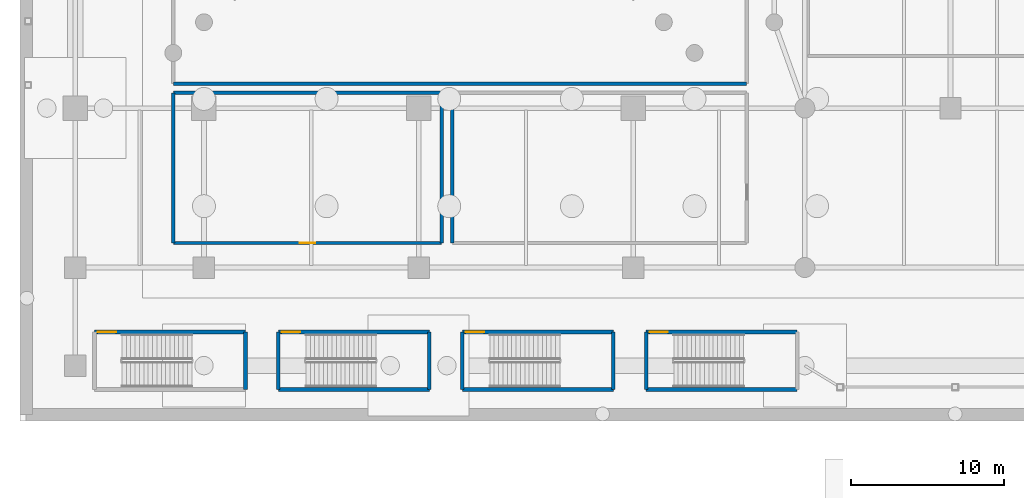
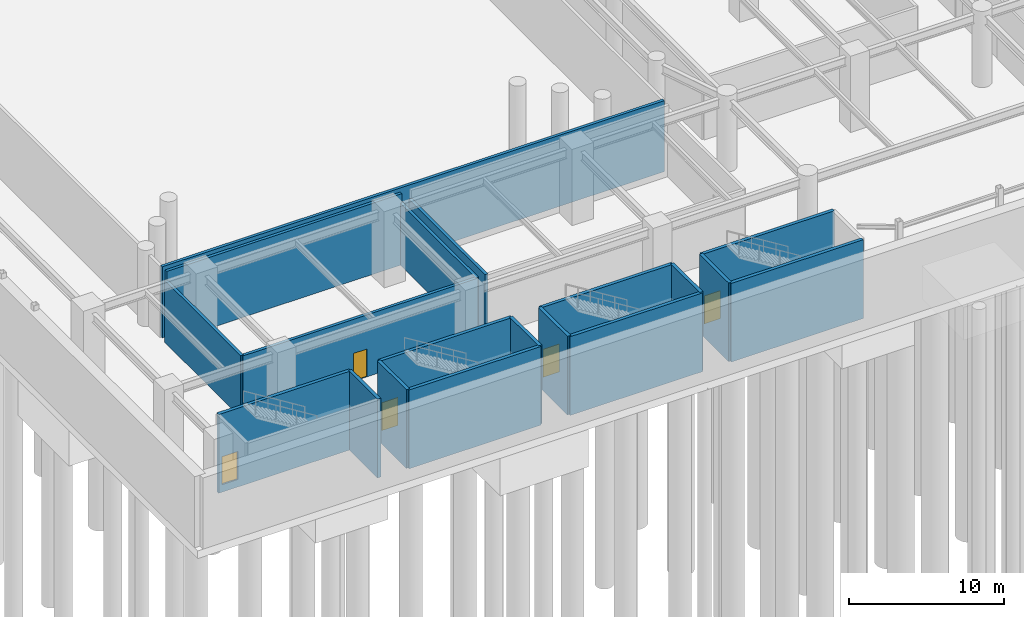
# One storey, part 16 of 37: 19 walls, 5 doors, 5 openings.
"""IFC4 building model written with IfcOpenShell, lengths in metres."""

from ifc_helpers import new_model, si_unit, direction, frame, frame_2d, origin, place, context, subcontext, project, spatial, rectangle, extrude, material, layer, layer_set, type_object, element, fill, save


model = new_model("IFC4")

# Units and contexts
model_context = context("Model", 3, precision=1e-05, world=origin(), true_north=direction((0.0, 1.0)))
body_context = subcontext(model_context, "Body", "Model", "MODEL_VIEW")
ifc_project = project(units=[si_unit("LENGTHUNIT", "METRE"), si_unit("AREAUNIT", "SQUARE_METRE"), si_unit("VOLUMEUNIT", "CUBIC_METRE"), si_unit("PLANEANGLEUNIT", "RADIAN"), si_unit("MASSUNIT", "GRAM", prefix="KILO")], contexts=[model_context])

# Site, building, storey
site_placement = place(None, origin())
site = spatial("IfcSite", under=ifc_project, at=site_placement, CompositionType="ELEMENT")
building_placement = place(site_placement, origin())
building = spatial("IfcBuilding", under=site, at=building_placement, Name="Narakoshi Arena Tower", CompositionType="ELEMENT")
storey_placement = place(building_placement, frame((0.0, 0.0, -6.0)))
storey = spatial("IfcBuildingStorey", under=building, at=storey_placement, Name="B01", CompositionType="ELEMENT", Elevation=-6.0)

# Wall
ifc_material_1 = material(Name="Concrete C40/50", Category="concrete")
ifc_layer_1 = layer(ifc_material_1, 0.219970703125)
ifc_layer_set_1 = layer_set([ifc_layer_1], Name="Concrete C40/50")
wall_type_1 = type_object("IfcWallType", Name="WL-COMP-220", PredefinedType="SOLIDWALL", material=ifc_layer_set_1)
wall_1_placement = place(storey_placement, frame((10.0, 22.0, 0.0), z_axis=(0.0, 0.0, 1.0), x_axis=(1.0, 0.0, 0.0)))
element("IfcWall", 1, at=wall_1_placement, inside=storey, type_object=wall_type_1, Name="B01 Arena Competition Event Floor Wall S", PredefinedType="SOLIDWALL", context=body_context, shape_type="SweptSolid", body=[
    extrude(rectangle(XDim=37.39990234375, YDim=0.219970703125, at=frame_2d((18.699951171875, 0.0))), origin(), (0.0, 0.0, 1.0), 5.60009765625),
])

# Wall, opening, door
wall_2_placement = place(storey_placement, frame((10.0, 11.60009765625, 0.0), z_axis=(0.0, 0.0, 1.0), x_axis=(1.0, 0.0, 0.0)))
wall_2 = element("IfcWall", 2, at=wall_2_placement, inside=storey, type_object=wall_type_1, Name="B01 Team A Athlete Changing Room Wall S", PredefinedType="SOLIDWALL", context=body_context, shape_type="SweptSolid", body=[
    extrude(rectangle(XDim=17.5, YDim=0.219970703125, at=frame_2d((8.75, 0.0))), origin(), (0.0, 0.0, 1.0), 4.885009765625),
])
opening_1_placement = place(wall_2_placement, frame((8.25, 0.0, 0.0)))
opening_1 = element("IfcOpeningElement", 3, at=opening_1_placement, cuts=wall_2, Name="Opening D-06", PredefinedType="OPENING", context=body_context, shape_type="SweptSolid", body=[
    extrude(rectangle(XDim=1.0, YDim=2.199951171875, at=frame_2d((0.5, 1.10009765625))), frame((0.0, 0.119873046875, 0.0), z_axis=(0.0, -1.0, 0.0), x_axis=(1.0, 0.0, 0.0)), (0.0, 0.0, 1.0), 0.239990234375),
])
ifc_material_2 = material(Name="Stained oak solid-core timber", Category="wood")
door_type_1 = type_object("IfcDoorType", Name="DR-OFF-1000", OperationType="NOTDEFINED", PredefinedType="DOOR", material=ifc_material_2)
door_1_placement = place(opening_1_placement, frame((1.0, 0.0, 0.0), z_axis=(0.0, 0.0, 1.0), x_axis=(-1.0, 0.0, 0.0)))
door_1 = element("IfcDoor", 4, at=door_1_placement, inside=storey, type_object=door_type_1, Name="DR-B01-025", OperationType="SINGLE_SWING_LEFT", OverallHeight=2.199951171875, OverallWidth=1.0, PredefinedType="DOOR", context=body_context, shape_type="SweptSolid", body=[
    extrude(rectangle(XDim=1.0, YDim=2.199951171875, at=frame_2d((0.5, 1.10009765625))), frame((0.0, 0.02490234375, 0.0), z_axis=(0.0, -1.0, 0.0), x_axis=(1.0, 0.0, 0.0)), (0.0, 0.0, 1.0), 0.050048828125),
])
fill(opening_1, door_1)

# Walls
wall_3_placement = place(storey_placement, frame((27.5, 11.60009765625, 0.0), z_axis=(0.0, 0.0, 1.0), x_axis=(0.0, 1.0, 0.0)))
element("IfcWall", 5, at=wall_3_placement, inside=storey, type_object=wall_type_1, Name="B01 Team A Athlete Changing Room Wall E", PredefinedType="SOLIDWALL", context=body_context, shape_type="SweptSolid", body=[
    extrude(rectangle(XDim=9.7998046875, YDim=0.219970703125, at=frame_2d((4.89990234375, 0.0))), origin(), (0.0, 0.0, 1.0), 4.885009765625),
])
wall_4_placement = place(storey_placement, frame((27.5, 21.39990234375, 0.0), z_axis=(0.0, 0.0, 1.0), x_axis=(-1.0, 0.0, 0.0)))
element("IfcWall", 6, at=wall_4_placement, inside=storey, type_object=wall_type_1, Name="B01 Team A Athlete Changing Room Wall N", PredefinedType="SOLIDWALL", context=body_context, shape_type="SweptSolid", body=[
    extrude(rectangle(XDim=17.5, YDim=0.219970703125, at=frame_2d((8.75, 0.0))), origin(), (0.0, 0.0, 1.0), 5.60009765625),
])
for number, where, z_axis, x_axis, name in (
    (7, (10.0, 21.39990234375, 0.0), (0.0, 0.0, 1.0), (0.0, -1.0, 0.0), "B01 Team A Athlete Changing Room Wall W"),
    (8, (28.199951171875, 21.39990234375, 0.0), (0.0, 0.0, 1.0), (0.0, -1.0, 0.0), "B01 Team B Athlete Changing Room Wall W"),
):
    element("IfcWall", number, at=place(storey_placement, frame(where, z_axis=z_axis, x_axis=x_axis)), inside=storey, type_object=wall_type_1, Name=name, PredefinedType="SOLIDWALL", context=body_context, shape_type="SweptSolid", body=[
        extrude(rectangle(XDim=9.7998046875, YDim=0.219970703125, at=frame_2d((4.89990234375, 0.0))), origin(), (0.0, 0.0, 1.0), 4.885009765625),
    ])
ifc_material_3 = material(Name="Concrete C50/60", Category="concrete")
ifc_layer_2 = layer(ifc_material_3, 0.35009765625)
ifc_layer_set_2 = layer_set([ifc_layer_2], Name="Concrete C50/60")
wall_type_2 = type_object("IfcWallType", Name="WL-SHAFT-350", PredefinedType="SOLIDWALL", material=ifc_layer_set_2)
wall_5_placement = place(storey_placement, frame((14.699951171875, 2.050048828125, -0.60009765625), z_axis=(0.0, 0.0, 1.0), x_axis=(0.0, 1.0, 0.0)))
element("IfcWall", 9, at=wall_5_placement, inside=storey, type_object=wall_type_2, Name="B01 AST1 Enclosure Wall E", PredefinedType="SOLIDWALL", context=body_context, shape_type="SweptSolid", body=[
    extrude(rectangle(XDim=3.75, YDim=0.25, at=frame_2d((1.875, 0.0))), origin(), (0.0, 0.0, 1.0), 6.2001953125),
])

# Wall, opening, door
wall_6_placement = place(storey_placement, frame((4.85009765625, 5.800048828125, -0.60009765625), z_axis=(0.0, 0.0, 1.0), x_axis=(1.0, 0.0, 0.0)))
wall_6 = element("IfcWall", 10, at=wall_6_placement, inside=storey, type_object=wall_type_2, Name="B01 AST1 Landing Door Wall", PredefinedType="SOLIDWALL", context=body_context, shape_type="SweptSolid", body=[
    extrude(rectangle(XDim=9.849853515625, YDim=0.25, at=frame_2d((4.9248046875, 0.0))), origin(), (0.0, 0.0, 1.0), 6.2001953125),
])
opening_2_placement = place(wall_6_placement, frame((0.219970703125, 0.0, 0.60009765625)))
opening_2 = element("IfcOpeningElement", 11, at=opening_2_placement, cuts=wall_6, Name="Opening D-03", PredefinedType="OPENING", context=body_context, shape_type="SweptSolid", body=[
    extrude(rectangle(XDim=1.199951171875, YDim=2.199951171875, at=frame_2d((0.60009765625, 1.10009765625))), frame((0.0, 0.135009765625, 0.0), z_axis=(0.0, -1.0, 0.0), x_axis=(1.0, 0.0, 0.0)), (0.0, 0.0, 1.0), 0.27001953125),
])
ifc_material_4 = material(Name="Painted galvanized steel", Category="steel")
door_type_2 = type_object("IfcDoorType", Name="DR-STR-1200", OperationType="NOTDEFINED", PredefinedType="USERDEFINED", material=ifc_material_4)
door_2_placement = place(opening_2_placement, frame((1.199951171875, 0.0, 0.0), z_axis=(0.0, 0.0, 1.0), x_axis=(-1.0, 0.0, 0.0)))
door_2 = element("IfcDoor", 12, at=door_2_placement, inside=storey, type_object=door_type_2, Name="DR-B01-016", ObjectType="EXITDOOR", OperationType="SINGLE_SWING_LEFT", OverallHeight=2.199951171875, OverallWidth=1.199951171875, PredefinedType="USERDEFINED", context=body_context, shape_type="SweptSolid", body=[
    extrude(rectangle(XDim=1.199951171875, YDim=2.199951171875, at=frame_2d((0.60009765625, 1.10009765625))), frame((0.0, 0.02490234375, 0.0), z_axis=(0.0, -1.0, 0.0), x_axis=(1.0, 0.0, 0.0)), (0.0, 0.0, 1.0), 0.050048828125),
])
fill(opening_2, door_2)

# Walls
for number, where, z_axis, x_axis, name in (
    (13, (16.85009765625, 2.050048828125, -0.60009765625), (0.0, 0.0, 1.0), (0.0, 1.0, 0.0), "B01 AST2 Enclosure Wall W"),
    (14, (26.699951171875, 2.050048828125, -0.60009765625), (0.0, 0.0, 1.0), (0.0, 1.0, 0.0), "B01 AST2 Enclosure Wall E"),
):
    element("IfcWall", number, at=place(storey_placement, frame(where, z_axis=z_axis, x_axis=x_axis)), inside=storey, type_object=wall_type_2, Name=name, PredefinedType="SOLIDWALL", context=body_context, shape_type="SweptSolid", body=[
        extrude(rectangle(XDim=3.75, YDim=0.25, at=frame_2d((1.875, 0.0))), origin(), (0.0, 0.0, 1.0), 6.2001953125),
    ])
wall_7_placement = place(storey_placement, frame((16.85009765625, 2.050048828125, -0.60009765625), z_axis=(0.0, 0.0, 1.0), x_axis=(1.0, 0.0, 0.0)))
element("IfcWall", 15, at=wall_7_placement, inside=storey, type_object=wall_type_2, Name="B01 AST2 Enclosure Wall B", PredefinedType="SOLIDWALL", context=body_context, shape_type="SweptSolid", body=[
    extrude(rectangle(XDim=9.849853515625, YDim=0.25, at=frame_2d((4.9248046875, 0.0))), origin(), (0.0, 0.0, 1.0), 6.2001953125),
])

# Wall, opening, door
wall_8_placement = place(storey_placement, frame((16.85009765625, 5.800048828125, -0.60009765625), z_axis=(0.0, 0.0, 1.0), x_axis=(1.0, 0.0, 0.0)))
wall_8 = element("IfcWall", 16, at=wall_8_placement, inside=storey, type_object=wall_type_2, Name="B01 AST2 Landing Door Wall", PredefinedType="SOLIDWALL", context=body_context, shape_type="SweptSolid", body=[
    extrude(rectangle(XDim=9.849853515625, YDim=0.25, at=frame_2d((4.9248046875, 0.0))), origin(), (0.0, 0.0, 1.0), 6.2001953125),
])
opening_3_placement = place(wall_8_placement, frame((0.219970703125, 0.0, 0.60009765625)))
opening_3 = element("IfcOpeningElement", 17, at=opening_3_placement, cuts=wall_8, Name="Opening D-03", PredefinedType="OPENING", context=body_context, shape_type="SweptSolid", body=[
    extrude(rectangle(XDim=1.199951171875, YDim=2.199951171875, at=frame_2d((0.60009765625, 1.10009765625))), frame((0.0, 0.135009765625, 0.0), z_axis=(0.0, -1.0, 0.0), x_axis=(1.0, 0.0, 0.0)), (0.0, 0.0, 1.0), 0.27001953125),
])
door_3_placement = place(opening_3_placement, frame((1.199951171875, 0.0, 0.0), z_axis=(0.0, 0.0, 1.0), x_axis=(-1.0, 0.0, 0.0)))
door_3 = element("IfcDoor", 18, at=door_3_placement, inside=storey, type_object=door_type_2, Name="DR-B01-017", ObjectType="EXITDOOR", OperationType="SINGLE_SWING_RIGHT", OverallHeight=2.199951171875, OverallWidth=1.199951171875, PredefinedType="USERDEFINED", context=body_context, shape_type="SweptSolid", body=[
    extrude(rectangle(XDim=1.199951171875, YDim=2.199951171875, at=frame_2d((0.60009765625, 1.10009765625))), frame((0.0, 0.02490234375, 0.0), z_axis=(0.0, -1.0, 0.0), x_axis=(1.0, 0.0, 0.0)), (0.0, 0.0, 1.0), 0.050048828125),
])
fill(opening_3, door_3)

# Walls
for number, where, z_axis, x_axis, name in (
    (19, (28.85009765625, 2.050048828125, -0.60009765625), (0.0, 0.0, 1.0), (0.0, 1.0, 0.0), "B01 AST3 Enclosure Wall W"),
    (20, (38.699951171875, 2.050048828125, -0.60009765625), (0.0, 0.0, 1.0), (0.0, 1.0, 0.0), "B01 AST3 Enclosure Wall E"),
):
    element("IfcWall", number, at=place(storey_placement, frame(where, z_axis=z_axis, x_axis=x_axis)), inside=storey, type_object=wall_type_2, Name=name, PredefinedType="SOLIDWALL", context=body_context, shape_type="SweptSolid", body=[
        extrude(rectangle(XDim=3.75, YDim=0.25, at=frame_2d((1.875, 0.0))), origin(), (0.0, 0.0, 1.0), 6.2001953125),
    ])
wall_9_placement = place(storey_placement, frame((28.85009765625, 2.050048828125, -0.60009765625), z_axis=(0.0, 0.0, 1.0), x_axis=(1.0, 0.0, 0.0)))
element("IfcWall", 21, at=wall_9_placement, inside=storey, type_object=wall_type_2, Name="B01 AST3 Enclosure Wall B", PredefinedType="SOLIDWALL", context=body_context, shape_type="SweptSolid", body=[
    extrude(rectangle(XDim=9.849853515625, YDim=0.25, at=frame_2d((4.9248046875, 0.0))), origin(), (0.0, 0.0, 1.0), 6.2001953125),
])

# Wall, opening, door
wall_10_placement = place(storey_placement, frame((28.85009765625, 5.800048828125, -0.60009765625), z_axis=(0.0, 0.0, 1.0), x_axis=(1.0, 0.0, 0.0)))
wall_10 = element("IfcWall", 22, at=wall_10_placement, inside=storey, type_object=wall_type_2, Name="B01 AST3 Landing Door Wall", PredefinedType="SOLIDWALL", context=body_context, shape_type="SweptSolid", body=[
    extrude(rectangle(XDim=9.849853515625, YDim=0.25, at=frame_2d((4.9248046875, 0.0))), origin(), (0.0, 0.0, 1.0), 6.2001953125),
])
opening_4_placement = place(wall_10_placement, frame((0.219970703125, 0.0, 0.60009765625)))
opening_4 = element("IfcOpeningElement", 23, at=opening_4_placement, cuts=wall_10, Name="Opening D-03", PredefinedType="OPENING", context=body_context, shape_type="SweptSolid", body=[
    extrude(rectangle(XDim=1.199951171875, YDim=2.199951171875, at=frame_2d((0.60009765625, 1.10009765625))), frame((0.0, 0.135009765625, 0.0), z_axis=(0.0, -1.0, 0.0), x_axis=(1.0, 0.0, 0.0)), (0.0, 0.0, 1.0), 0.27001953125),
])
door_4_placement = place(opening_4_placement, frame((1.199951171875, 0.0, 0.0), z_axis=(0.0, 0.0, 1.0), x_axis=(-1.0, 0.0, 0.0)))
door_4 = element("IfcDoor", 24, at=door_4_placement, inside=storey, type_object=door_type_2, Name="DR-B01-018", ObjectType="EXITDOOR", OperationType="SINGLE_SWING_LEFT", OverallHeight=2.199951171875, OverallWidth=1.199951171875, PredefinedType="USERDEFINED", context=body_context, shape_type="SweptSolid", body=[
    extrude(rectangle(XDim=1.199951171875, YDim=2.199951171875, at=frame_2d((0.60009765625, 1.10009765625))), frame((0.0, 0.02490234375, 0.0), z_axis=(0.0, -1.0, 0.0), x_axis=(1.0, 0.0, 0.0)), (0.0, 0.0, 1.0), 0.050048828125),
])
fill(opening_4, door_4)

# Walls
wall_11_placement = place(storey_placement, frame((40.85009765625, 2.050048828125, -0.60009765625), z_axis=(0.0, 0.0, 1.0), x_axis=(0.0, 1.0, 0.0)))
element("IfcWall", 25, at=wall_11_placement, inside=storey, type_object=wall_type_2, Name="B01 AST4 Enclosure Wall W", PredefinedType="SOLIDWALL", context=body_context, shape_type="SweptSolid", body=[
    extrude(rectangle(XDim=3.75, YDim=0.25, at=frame_2d((1.875, 0.0))), origin(), (0.0, 0.0, 1.0), 6.2001953125),
])
wall_12_placement = place(storey_placement, frame((40.85009765625, 2.050048828125, -0.60009765625), z_axis=(0.0, 0.0, 1.0), x_axis=(1.0, 0.0, 0.0)))
element("IfcWall", 26, at=wall_12_placement, inside=storey, type_object=wall_type_2, Name="B01 AST4 Enclosure Wall B", PredefinedType="SOLIDWALL", context=body_context, shape_type="SweptSolid", body=[
    extrude(rectangle(XDim=9.849853515625, YDim=0.25, at=frame_2d((4.9248046875, 0.0))), origin(), (0.0, 0.0, 1.0), 6.2001953125),
])

# Wall, opening, door
wall_13_placement = place(storey_placement, frame((40.85009765625, 5.800048828125, -0.60009765625), z_axis=(0.0, 0.0, 1.0), x_axis=(1.0, 0.0, 0.0)))
wall_13 = element("IfcWall", 27, at=wall_13_placement, inside=storey, type_object=wall_type_2, Name="B01 AST4 Landing Door Wall", PredefinedType="SOLIDWALL", context=body_context, shape_type="SweptSolid", body=[
    extrude(rectangle(XDim=9.849853515625, YDim=0.25, at=frame_2d((4.9248046875, 0.0))), origin(), (0.0, 0.0, 1.0), 6.2001953125),
])
opening_5_placement = place(wall_13_placement, frame((0.219970703125, 0.0, 0.60009765625)))
opening_5 = element("IfcOpeningElement", 28, at=opening_5_placement, cuts=wall_13, Name="Opening D-03", PredefinedType="OPENING", context=body_context, shape_type="SweptSolid", body=[
    extrude(rectangle(XDim=1.199951171875, YDim=2.199951171875, at=frame_2d((0.60009765625, 1.10009765625))), frame((0.0, 0.135009765625, 0.0), z_axis=(0.0, -1.0, 0.0), x_axis=(1.0, 0.0, 0.0)), (0.0, 0.0, 1.0), 0.27001953125),
])
door_5_placement = place(opening_5_placement, frame((1.199951171875, 0.0, 0.0), z_axis=(0.0, 0.0, 1.0), x_axis=(-1.0, 0.0, 0.0)))
door_5 = element("IfcDoor", 29, at=door_5_placement, inside=storey, type_object=door_type_2, Name="DR-B01-019", ObjectType="EXITDOOR", OperationType="SINGLE_SWING_RIGHT", OverallHeight=2.199951171875, OverallWidth=1.199951171875, PredefinedType="USERDEFINED", context=body_context, shape_type="SweptSolid", body=[
    extrude(rectangle(XDim=1.199951171875, YDim=2.199951171875, at=frame_2d((0.60009765625, 1.10009765625))), frame((0.0, 0.02490234375, 0.0), z_axis=(0.0, -1.0, 0.0), x_axis=(1.0, 0.0, 0.0)), (0.0, 0.0, 1.0), 0.050048828125),
])
fill(opening_5, door_5)

save(model, "model.ifc")
